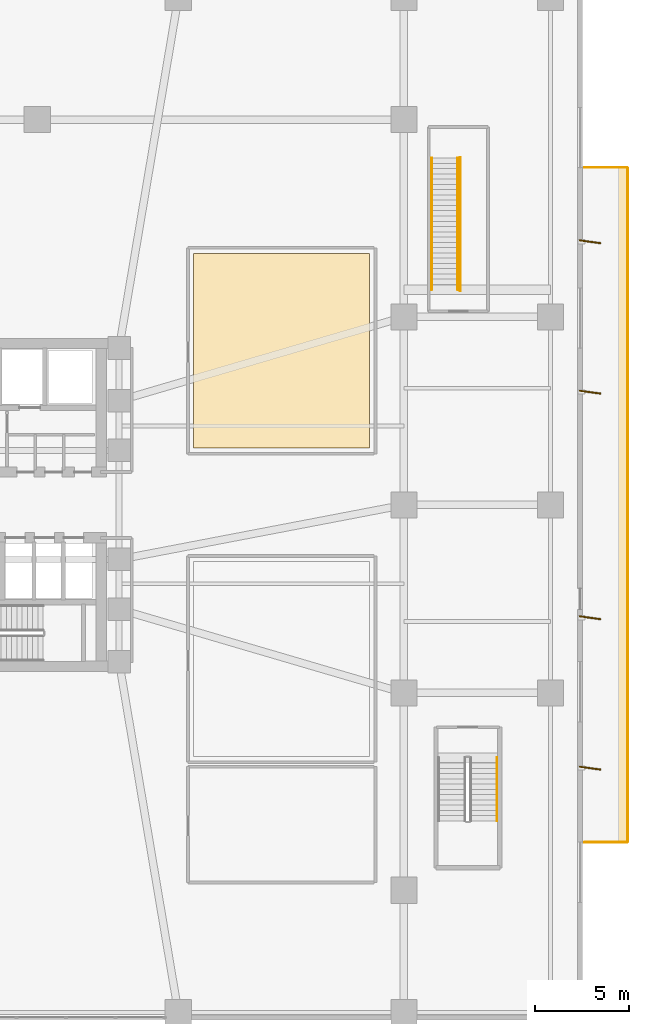
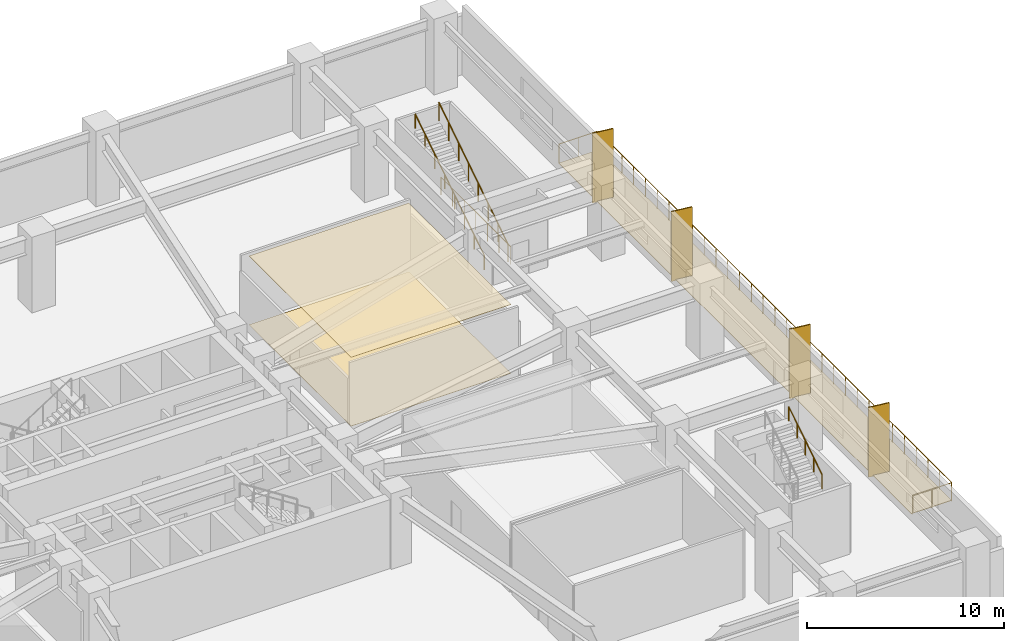
# One storey, part 13 of 13: 7 railings, 4 shading devices, 3 coverings.
"""IFC4 building model written with IfcOpenShell, lengths in metres."""

import ifcopenshell
import ifcopenshell.guid

model = None  # the IFC model being written
_history = None  # IfcOwnerHistory: only IFC2X3 demands one
_inside = {}  # id of a spatial element -> (the spatial element, [elements in it])
_under = {}  # id of a project, library or spatial element -> (it, [spatial elements below it])
_declared = {}  # id of a project -> (the project, [libraries it declares])
_typed = {}  # id of a type object -> (the type object, [elements of that type])
_made_of = {}  # id of a material, layer set ... -> (it, [elements and type objects made of it])


def new_model(schema):
    """Start an empty IFC model of exactly this schema.

    Asked for "IFC4X3", IfcOpenShell would pick the latest addendum, in which some entities
    have other attributes; the version numbers below select the first issue.
    IFC2X3 requires an IfcOwnerHistory on every rooted entity: one is made here for all.
    """
    global model, _history
    if schema == "IFC4X3":
        model = ifcopenshell.file(schema_version=(4, 3, 0, 0))
    else:
        model = ifcopenshell.file(schema=schema)
    _inside.clear()
    _under.clear()
    _declared.clear()
    _typed.clear()
    _made_of.clear()
    _history = None
    if model.schema == "IFC2X3":
        org = make("IfcOrganization", Name="unknown")
        user = make(
            "IfcPersonAndOrganization",
            ThePerson=make("IfcPerson", FamilyName="unknown"),
            TheOrganization=org,
        )
        app = make(
            "IfcApplication",
            ApplicationDeveloper=org,
            Version="unknown",
            ApplicationFullName="unknown",
            ApplicationIdentifier="unknown",
        )
        _history = make(
            "IfcOwnerHistory",
            OwningUser=user,
            OwningApplication=app,
            ChangeAction="ADDED",
            CreationDate=0,
        )
    return model


def make(cls, **values):
    """One entity of the class cls with the attributes given. An attribute that is None is left unset."""
    return model.create_entity(
        cls, **{name: value for name, value in values.items() if value is not None}
    )


def rooted(cls, **values):
    """An entity with a GlobalId (a new one), such as an element, a storey or a relation."""
    return make(cls, GlobalId=ifcopenshell.guid.new(), OwnerHistory=_history, **values)


def si_unit(unit_type, name, prefix=None):
    """IfcSIUnit, for example si_unit("LENGTHUNIT", "METRE", prefix="MILLI")."""
    return make("IfcSIUnit", UnitType=unit_type, Prefix=prefix, Name=name)


def assignment(units):
    """IfcUnitAssignment: the units of a project."""
    return None if units is None else make("IfcUnitAssignment", Units=units)


def point(xyz):
    """IfcCartesianPoint."""
    return None if xyz is None else make("IfcCartesianPoint", Coordinates=xyz)


def direction(xyz):
    """IfcDirection."""
    return None if xyz is None else make("IfcDirection", DirectionRatios=xyz)


def frame(location, z_axis=None, x_axis=None):
    """IfcAxis2Placement3D, a coordinate frame: its origin and axes. An axis left out is left unset."""
    return make(
        "IfcAxis2Placement3D",
        Location=point(location),
        Axis=direction(z_axis),
        RefDirection=direction(x_axis),
    )


def frame_2d(location, x_axis=None):
    """IfcAxis2Placement2D, a coordinate frame in the plane: its origin and x axis."""
    return make(
        "IfcAxis2Placement2D", Location=point(location), RefDirection=direction(x_axis)
    )


def origin():
    """The frame at (0, 0, 0) with its axes left unset."""
    return frame((0.0, 0.0, 0.0))


def origin_2d():
    """The frame at (0, 0) in the plane with its x axis left unset."""
    return frame_2d((0.0, 0.0))


def place(relative_to, where):
    """IfcLocalPlacement: puts the frame where relative to a parent placement (None: the world)."""
    return make(
        "IfcLocalPlacement", PlacementRelTo=relative_to, RelativePlacement=where
    )


def context(
    kind, dimensions, precision=None, world=None, true_north=None, identifier=None
):
    """IfcGeometricRepresentationContext, for example the 3D "Model" context."""
    return make(
        "IfcGeometricRepresentationContext",
        ContextIdentifier=identifier,
        ContextType=kind,
        CoordinateSpaceDimension=dimensions,
        Precision=precision,
        WorldCoordinateSystem=world,
        TrueNorth=true_north,
    )


def subcontext(parent, identifier, kind, view, scale=None):
    """IfcGeometricRepresentationSubContext, for example "Body" below "Model"."""
    return make(
        "IfcGeometricRepresentationSubContext",
        ContextIdentifier=identifier,
        ContextType=kind,
        ParentContext=parent,
        TargetScale=scale,
        TargetView=view,
    )


def project(units=None, contexts=None):
    """IfcProject with its units and contexts."""
    return rooted(
        "IfcProject",
        Name="project",
        RepresentationContexts=contexts,
        UnitsInContext=assignment(units),
    )


def spatial(cls, under=None, at=None, **own):
    """A site, building, storey or space (cls), placed at a placement, below another one or the project."""
    s = rooted(cls, ObjectPlacement=at, **own)
    if under is not None:
        _under.setdefault(under.id(), (under, []))[1].append(s)
    return s


def polyline(points):
    """IfcPolyline through the points."""
    return make("IfcPolyline", Points=[point(p) for p in points])


def profile(cls, at=None, kind="AREA", **sizes):
    """A parametric profile (cls). Its sizes go by their IFC names, for example OverallWidth=200.0."""
    return make(cls, ProfileType=kind, Position=at, **sizes)


def rectangle(**sizes):
    """IfcRectangleProfileDef."""
    return profile("IfcRectangleProfileDef", **sizes)


def circle(**sizes):
    """IfcCircleProfileDef."""
    return profile("IfcCircleProfileDef", **sizes)


def outline(outer, holes=None, kind="AREA"):
    """IfcArbitraryClosedProfileDef: a profile drawn as a closed curve; with holes, ...WithVoids."""
    if holes is None:
        return make("IfcArbitraryClosedProfileDef", ProfileType=kind, OuterCurve=outer)
    return make(
        "IfcArbitraryProfileDefWithVoids",
        ProfileType=kind,
        OuterCurve=outer,
        InnerCurves=holes,
    )


def extrude(swept, where, along, depth):
    """IfcExtrudedAreaSolid: the profile swept, set in the frame where, extruded along a direction by depth."""
    return make(
        "IfcExtrudedAreaSolid",
        SweptArea=swept,
        Position=where,
        ExtrudedDirection=direction(along),
        Depth=depth,
    )


def shape(context_of_items, identifier, shape_type, items):
    """IfcShapeRepresentation: the items that make up one representation, for example the "Body"."""
    return make(
        "IfcShapeRepresentation",
        ContextOfItems=context_of_items,
        RepresentationIdentifier=identifier,
        RepresentationType=shape_type,
        Items=items,
    )


def material(Name=None, Category=None):
    """IfcMaterial."""
    return make("IfcMaterial", Name=Name, Category=Category)


def layer(
    of_material, thickness, ventilated=None, Name=None, Category=None, Priority=None
):
    """IfcMaterialLayer: one layer of a wall or slab, of a material (None: an air gap)."""
    return make(
        "IfcMaterialLayer",
        Material=of_material,
        LayerThickness=thickness,
        IsVentilated=ventilated,
        Name=Name,
        Category=Category,
        Priority=Priority,
    )


def layer_set(layers, Name=None):
    """IfcMaterialLayerSet."""
    return make("IfcMaterialLayerSet", MaterialLayers=layers, LayerSetName=Name)


def made_of(thing, what):
    """Note that an element or type object is made of a material, layer set ...; save() writes the relation."""
    if what is not None:
        _made_of.setdefault(what.id(), (what, []))[1].append(thing)
    return thing


def type_object(cls, material=None, **own):
    """A type object (cls), such as IfcWallType, which elements share."""
    return made_of(rooted(cls, **own), material)


def element(
    cls,
    number,
    at=None,
    inside=None,
    cuts=None,
    type_object=None,
    material=None,
    context=None,
    identifier="Body",
    shape_type=None,
    held_by="IfcProductDefinitionShape",
    body=None,
    shapes=None,
    **own,
):
    """One element of the class cls, such as IfcWall. Its Tag is "e" and its number.

    at: its placement. inside: the storey or other place that contains it. cuts: it is an
    opening in that element (IfcRelVoidsElement). A single representation is given by context,
    identifier, shape_type and body (its items); several are given by shapes. held_by: the class
    of the entity that holds the representations. save() writes the other relations.
    """
    e = rooted(cls, Tag="e%d" % number, ObjectPlacement=at, **own)
    if body is not None:
        shapes = [shape(context, identifier, shape_type, body)]
    if shapes is not None:
        e.Representation = make(held_by, Representations=shapes)
    if inside is not None:
        _inside.setdefault(inside.id(), (inside, []))[1].append(e)
    if cuts is not None:
        rooted(
            "IfcRelVoidsElement", RelatingBuildingElement=cuts, RelatedOpeningElement=e
        )
    if type_object is not None:
        _typed.setdefault(type_object.id(), (type_object, []))[1].append(e)
    return made_of(e, material)


def aggregate(whole, parts):
    """IfcRelAggregates: a whole, such as a stair, and the parts it consists of."""
    return rooted("IfcRelAggregates", RelatingObject=whole, RelatedObjects=parts)


def save(model, path):
    """Write the relations noted so far, then the file.

    IfcRelAggregates (storeys below a building ...), IfcRelContainedInSpatialStructure (elements
    in a storey), IfcRelDefinesByType, IfcRelAssociatesMaterial and IfcRelDeclares: one each for
    every whole, place, type object, material and project.
    """
    for whole, parts in _under.values():
        aggregate(whole, parts)
    for where, things in _inside.values():
        rooted(
            "IfcRelContainedInSpatialStructure",
            RelatedElements=things,
            RelatingStructure=where,
        )
    for kind, things in _typed.values():
        rooted("IfcRelDefinesByType", RelatedObjects=things, RelatingType=kind)
    for what, things in _made_of.values():
        rooted("IfcRelAssociatesMaterial", RelatedObjects=things, RelatingMaterial=what)
    for by, libraries in _declared.values():
        rooted("IfcRelDeclares", RelatingContext=by, RelatedDefinitions=libraries)
    model.write(path)


model = new_model("IFC4")

# Units and contexts
model_context = context("Model", 3, precision=1e-05, world=origin(), true_north=direction((0.0, 1.0)))
body_context = subcontext(model_context, "Body", "Model", "MODEL_VIEW")
ifc_project = project(units=[si_unit("LENGTHUNIT", "METRE"), si_unit("AREAUNIT", "SQUARE_METRE"), si_unit("VOLUMEUNIT", "CUBIC_METRE"), si_unit("PLANEANGLEUNIT", "RADIAN"), si_unit("MASSUNIT", "GRAM", prefix="KILO")], contexts=[model_context])

# Site, building, storey
site_placement = place(None, origin())
site = spatial("IfcSite", under=ifc_project, at=site_placement, CompositionType="ELEMENT")
building_placement = place(site_placement, origin())
building = spatial("IfcBuilding", under=site, at=building_placement, Name="Solmarez Civic Tower", CompositionType="ELEMENT")
storey_placement = place(building_placement, frame((0.0, 0.0, 14.760009765625)))
storey = spatial("IfcBuildingStorey", under=building, at=storey_placement, Name="L03", CompositionType="ELEMENT", Elevation=14.760009765625)

# Coverings
ifc_material_1 = material(Name="Perforated Mineral-Fibre Acoustic Ceiling")
ifc_layer_1 = layer(ifc_material_1, 0.02490234375)
ifc_layer_set_1 = layer_set([ifc_layer_1], Name="Perforated Mineral-Fibre Acoustic Ceiling")
covering_type_1 = type_object("IfcCoveringType", Name="COV-CEIL-ACOUSTIC", PredefinedType="CEILING", material=ifc_layer_set_1)
covering_1_placement = place(storey_placement, frame((0.0, 0.0, 4.2548828125)))
element("IfcCovering", 1, at=covering_1_placement, inside=storey, type_object=covering_type_1, Name="L03 Suspended Acoustic Ceiling 2", PredefinedType="CEILING", context=body_context, shape_type="SweptSolid", body=[
    extrude(outline(polyline([(22.179931640625, 3.02001953125), (22.179931640625, 13.3798828125), (12.820068359375, 13.3798828125), (12.820068359375, 3.02001953125), (22.179931640625, 3.02001953125)])), origin(), (0.0, 0.0, 1.0), 0.025146484375),
])
ifc_material_2 = material(Name="Polished Tropical Stone Terrazzo Flooring", Category="masonry")
ifc_layer_2 = layer(ifc_material_2, 0.02001953125)
ifc_layer_set_2 = layer_set([ifc_layer_2], Name="Polished Tropical Stone Terrazzo Flooring")
covering_type_2 = type_object("IfcCoveringType", Name="COV-FLOOR-TERRAZZO", PredefinedType="FLOORING", material=ifc_layer_set_2)
covering_2_placement = place(storey_placement, origin())
element("IfcCovering", 2, at=covering_2_placement, inside=storey, type_object=covering_type_2, Name="L03 Terrazzo Floor Finish 2", PredefinedType="FLOORING", context=body_context, shape_type="SweptSolid", body=[
    extrude(outline(polyline([(22.179931640625, 3.02001953125), (22.179931640625, 13.3798828125), (12.820068359375, 13.3798828125), (12.820068359375, 3.02001953125), (22.179931640625, 3.02001953125)])), origin(), (0.0, 0.0, 1.0), 0.02001953125),
])
ifc_material_3 = material(Name="Elastomeric Terrace Waterproofing Membrane")
ifc_layer_3 = layer(ifc_material_3, 0.030029296875)
ifc_layer_set_3 = layer_set([ifc_layer_3], Name="Elastomeric Terrace Waterproofing Membrane")
covering_type_3 = type_object("IfcCoveringType", Name="COV-MEMBRANE-ROOF", PredefinedType="ROOFING", material=ifc_layer_set_3)
covering_3_placement = place(storey_placement, origin())
element("IfcCovering", 3, at=covering_3_placement, inside=storey, type_object=covering_type_3, Name="L03 Terrace Waterproofing Membrane E", PredefinedType="ROOFING", context=body_context, shape_type="SweptSolid", body=[
    extrude(outline(polyline([(33.56005859375, -17.89990234375), (35.919921875, -17.89990234375), (35.919921875, 17.89990234375), (33.56005859375, 17.89990234375), (33.56005859375, -17.89990234375)])), origin(), (0.0, 0.0, 1.0), 0.030029296875),
])

# Shading devices
ifc_material_4 = material(Name="Bronze Anodised Aluminium EN AW-6063 T6", Category="aluminium")
ifc_layer_4 = layer(ifc_material_4, 0.070068359375)
ifc_layer_set_4 = layer_set([ifc_layer_4], Name="Bronze Anodised Aluminium EN AW-6063 T6")
shading_device_type = type_object("IfcShadingDeviceType", Name="FIN-BRONZE-POD", PredefinedType="USERDEFINED", material=ifc_layer_set_4)
for number, where, z_axis, x_axis, name in (
    (4, (33.89501953125, -14.0, -0.0400390625), (0.0, 0.0, 1.0), (0.990983199715, -0.133986185418, 0.0), "L03 Anodised Bronze Solar Fin FIN-L03-E1"),
    (5, (33.89501953125, -6.0, -0.0400390625), (0.0, 0.0, 1.0), (0.990983199715, -0.133986185418, 0.0), "L03 Anodised Bronze Solar Fin FIN-L03-E2"),
    (6, (33.89501953125, 6.0, -0.0400390625), (0.0, 0.0, 1.0), (0.990983199715, -0.133986185418, 0.0), "L03 Anodised Bronze Solar Fin FIN-L03-E3"),
    (7, (33.89501953125, 14.0, -0.0400390625), (0.0, 0.0, 1.0), (0.990983199715, -0.133986185418, 0.0), "L03 Anodised Bronze Solar Fin FIN-L03-E4"),
):
    element("IfcShadingDevice", number, at=place(storey_placement, frame(where, z_axis=z_axis, x_axis=x_axis)), inside=storey, type_object=shading_device_type, Name=name, ObjectType="FIN", PredefinedType="USERDEFINED", context=body_context, shape_type="SweptSolid", body=[
        extrude(rectangle(XDim=1.14990234375, YDim=0.070068359375, at=origin_2d()), origin(), (0.0, 0.0, 1.0), 4.320068359375),
    ])

# Railings
ifc_material_5 = material(Name="Painted Steel Stairwell Safety Guard", Category="steel")
railing_type_1 = type_object("IfcRailingType", Name="GUARD-STAIR-1120", PredefinedType="BALUSTRADE", material=ifc_material_5)
railing_1_placement = place(storey_placement, frame((26.8701171875, 11.449951171875, 0.179931640625)))
element("IfcRailing", 8, at=railing_1_placement, inside=storey, type_object=railing_type_1, Name="L03 Stair ST-P4 Flight Guard", PredefinedType="BALUSTRADE", context=body_context, shape_type="SweptSolid", body=[
    extrude(circle(Radius=0.02392578125, at=origin_2d()), frame((0.0, 0.0, 1.09619140625), z_axis=(0.0, 0.841178475377, 0.540757591313), x_axis=(-1.0, 0.0, 0.0)), (0.0, 0.0, 1.0), 8.32177734375),
    extrude(circle(Radius=0.02099609375, at=origin_2d()), origin(), (0.0, 0.0, 1.0), 1.072021484375),
    extrude(circle(Radius=0.02099609375, at=origin_2d()), frame((0.0, 1.0, 0.642822265625)), (0.0, 0.0, 1.0), 1.072021484375),
    extrude(circle(Radius=0.02099609375, at=origin_2d()), frame((0.0, 2.0, 1.28564453125)), (0.0, 0.0, 1.0), 1.072021484375),
    extrude(circle(Radius=0.02099609375, at=origin_2d()), frame((0.0, 3.0, 1.928466796875)), (0.0, 0.0, 1.0), 1.072021484375),
    extrude(circle(Radius=0.02099609375, at=origin_2d()), frame((0.0, 4.0, 2.571533203125)), (0.0, 0.0, 1.0), 1.072021484375),
    extrude(circle(Radius=0.02099609375, at=origin_2d()), frame((0.0, 5.0, 3.21435546875)), (0.0, 0.0, 1.0), 1.072021484375),
    extrude(circle(Radius=0.02099609375, at=origin_2d()), frame((0.0, 6.0, 3.857177734375)), (0.0, 0.0, 1.0), 1.072021484375),
    extrude(circle(Radius=0.02099609375, at=origin_2d()), frame((0.0, 7.0, 4.5)), (0.0, 0.0, 1.0), 1.072021484375),
])
railing_2_placement = place(storey_placement, frame((27.0, 11.3798828125, 0.0)))
element("IfcRailing", 9, at=railing_2_placement, inside=storey, type_object=railing_type_1, Name="L03 Stair ST-P4 Walkway Well Guard", PredefinedType="BALUSTRADE", context=body_context, shape_type="SweptSolid", body=[
    extrude(circle(Radius=0.02392578125, at=origin_2d()), frame((0.0, 0.0, 1.09619140625), z_axis=(0.0, 1.0, 0.0), x_axis=(-1.0, 0.0, 0.0)), (0.0, 0.0, 1.0), 7.10009765625),
    extrude(circle(Radius=0.02099609375, at=origin_2d()), origin(), (0.0, 0.0, 1.0), 1.072021484375),
    extrude(circle(Radius=0.02099609375, at=origin_2d()), frame((0.0, 1.183349609375, 0.0)), (0.0, 0.0, 1.0), 1.072021484375),
    extrude(circle(Radius=0.02099609375, at=origin_2d()), frame((0.0, 2.36669921875, 0.0)), (0.0, 0.0, 1.0), 1.072021484375),
    extrude(circle(Radius=0.02099609375, at=origin_2d()), frame((0.0, 3.550048828125, 0.0)), (0.0, 0.0, 1.0), 1.072021484375),
    extrude(circle(Radius=0.02099609375, at=origin_2d()), frame((0.0, 4.7333984375, 0.0)), (0.0, 0.0, 1.0), 1.072021484375),
    extrude(circle(Radius=0.02099609375, at=origin_2d()), frame((0.0, 5.916748046875, 0.0)), (0.0, 0.0, 1.0), 1.072021484375),
    extrude(circle(Radius=0.02099609375, at=origin_2d()), frame((0.0, 7.10009765625, 0.0)), (0.0, 0.0, 1.0), 1.072021484375),
])
ifc_material_6 = material(Name="Bronze Anodised Aluminium and Laminated Safety Glass Balustrade", Category="aluminium")
railing_type_2 = type_object("IfcRailingType", Name="GUARD-TERR-1180", PredefinedType="BALUSTRADE", material=ifc_material_6)
railing_3_placement = place(storey_placement, frame((33.614990234375, -17.949951171875, 0.0)))
element("IfcRailing", 10, at=railing_3_placement, inside=storey, type_object=railing_type_2, Name="L03 Safety Balustrade GRD-TERR-L03-E-1", PredefinedType="BALUSTRADE", context=body_context, shape_type="SweptSolid", body=[
    extrude(circle(Radius=0.02392578125, at=origin_2d()), frame((0.0, 0.0, 1.15576171875), z_axis=(1.0, 0.0, 0.0), x_axis=(0.0, 1.0, 0.0)), (0.0, 0.0, 1.0), 2.25),
    extrude(circle(Radius=0.02099609375, at=origin_2d()), origin(), (0.0, 0.0, 1.0), 1.1318359375),
    extrude(circle(Radius=0.02099609375, at=origin_2d()), frame((1.125, 0.0, 0.0)), (0.0, 0.0, 1.0), 1.1318359375),
    extrude(circle(Radius=0.02099609375, at=origin_2d()), frame((2.25, 0.0, 0.0)), (0.0, 0.0, 1.0), 1.1318359375),
])
railing_4_placement = place(storey_placement, frame((35.89990234375, -17.9150390625, 0.0)))
element("IfcRailing", 11, at=railing_4_placement, inside=storey, type_object=railing_type_2, Name="L03 Safety Balustrade GRD-TERR-L03-E-2", PredefinedType="BALUSTRADE", context=body_context, shape_type="SweptSolid", body=[
    extrude(circle(Radius=0.02392578125, at=origin_2d()), frame((0.0, 0.0, 1.15576171875), z_axis=(0.0, 1.0, 0.0), x_axis=(-1.0, 0.0, 0.0)), (0.0, 0.0, 1.0), 35.830078125),
    extrude(circle(Radius=0.02099609375, at=origin_2d()), origin(), (0.0, 0.0, 1.0), 1.1318359375),
    extrude(circle(Radius=0.02099609375, at=origin_2d()), frame((0.0, 1.1943359375, 0.0)), (0.0, 0.0, 1.0), 1.1318359375),
    extrude(circle(Radius=0.02099609375, at=origin_2d()), frame((0.0, 2.388671875, 0.0)), (0.0, 0.0, 1.0), 1.1318359375),
    extrude(circle(Radius=0.02099609375, at=origin_2d()), frame((0.0, 3.5830078125, 0.0)), (0.0, 0.0, 1.0), 1.1318359375),
    extrude(circle(Radius=0.02099609375, at=origin_2d()), frame((0.0, 4.77734375, 0.0)), (0.0, 0.0, 1.0), 1.1318359375),
    extrude(circle(Radius=0.02099609375, at=origin_2d()), frame((0.0, 5.9716796875, 0.0)), (0.0, 0.0, 1.0), 1.1318359375),
    extrude(circle(Radius=0.02099609375, at=origin_2d()), frame((0.0, 7.166015625, 0.0)), (0.0, 0.0, 1.0), 1.1318359375),
    extrude(circle(Radius=0.02099609375, at=origin_2d()), frame((0.0, 8.3603515625, 0.0)), (0.0, 0.0, 1.0), 1.1318359375),
    extrude(circle(Radius=0.02099609375, at=origin_2d()), frame((0.0, 9.5546875, 0.0)), (0.0, 0.0, 1.0), 1.1318359375),
    extrude(circle(Radius=0.02099609375, at=origin_2d()), frame((0.0, 10.7490234375, 0.0)), (0.0, 0.0, 1.0), 1.1318359375),
    extrude(circle(Radius=0.02099609375, at=origin_2d()), frame((0.0, 11.943359375, 0.0)), (0.0, 0.0, 1.0), 1.1318359375),
    extrude(circle(Radius=0.02099609375, at=origin_2d()), frame((0.0, 13.1376953125, 0.0)), (0.0, 0.0, 1.0), 1.1318359375),
    extrude(circle(Radius=0.02099609375, at=origin_2d()), frame((0.0, 14.33203125, 0.0)), (0.0, 0.0, 1.0), 1.1318359375),
    extrude(circle(Radius=0.02099609375, at=origin_2d()), frame((0.0, 15.5263671875, 0.0)), (0.0, 0.0, 1.0), 1.1318359375),
    extrude(circle(Radius=0.02099609375, at=origin_2d()), frame((0.0, 16.720703125, 0.0)), (0.0, 0.0, 1.0), 1.1318359375),
    extrude(circle(Radius=0.02099609375, at=origin_2d()), frame((0.0, 17.9150390625, 0.0)), (0.0, 0.0, 1.0), 1.1318359375),
    extrude(circle(Radius=0.02099609375, at=origin_2d()), frame((0.0, 19.109375, 0.0)), (0.0, 0.0, 1.0), 1.1318359375),
    extrude(circle(Radius=0.02099609375, at=origin_2d()), frame((0.0, 20.3037109375, 0.0)), (0.0, 0.0, 1.0), 1.1318359375),
    extrude(circle(Radius=0.02099609375, at=origin_2d()), frame((0.0, 21.498046875, 0.0)), (0.0, 0.0, 1.0), 1.1318359375),
    extrude(circle(Radius=0.02099609375, at=origin_2d()), frame((0.0, 22.6923828125, 0.0)), (0.0, 0.0, 1.0), 1.1318359375),
    extrude(circle(Radius=0.02099609375, at=origin_2d()), frame((0.0, 23.88671875, 0.0)), (0.0, 0.0, 1.0), 1.1318359375),
    extrude(circle(Radius=0.02099609375, at=origin_2d()), frame((0.0, 25.0810546875, 0.0)), (0.0, 0.0, 1.0), 1.1318359375),
    extrude(circle(Radius=0.02099609375, at=origin_2d()), frame((0.0, 26.275390625, 0.0)), (0.0, 0.0, 1.0), 1.1318359375),
    extrude(circle(Radius=0.02099609375, at=origin_2d()), frame((0.0, 27.4697265625, 0.0)), (0.0, 0.0, 1.0), 1.1318359375),
    extrude(circle(Radius=0.02099609375, at=origin_2d()), frame((0.0, 28.6640625, 0.0)), (0.0, 0.0, 1.0), 1.1318359375),
    extrude(circle(Radius=0.02099609375, at=origin_2d()), frame((0.0, 29.8583984375, 0.0)), (0.0, 0.0, 1.0), 1.1318359375),
    extrude(circle(Radius=0.02099609375, at=origin_2d()), frame((0.0, 31.052734375, 0.0)), (0.0, 0.0, 1.0), 1.1318359375),
    extrude(circle(Radius=0.02099609375, at=origin_2d()), frame((0.0, 32.2470703125, 0.0)), (0.0, 0.0, 1.0), 1.1318359375),
    extrude(circle(Radius=0.02099609375, at=origin_2d()), frame((0.0, 33.44140625, 0.0)), (0.0, 0.0, 1.0), 1.1318359375),
    extrude(circle(Radius=0.02099609375, at=origin_2d()), frame((0.0, 34.6357421875, 0.0)), (0.0, 0.0, 1.0), 1.1318359375),
    extrude(circle(Radius=0.02099609375, at=origin_2d()), frame((0.0, 35.830078125, 0.0)), (0.0, 0.0, 1.0), 1.1318359375),
])
railing_5_placement = place(storey_placement, frame((35.864990234375, 17.949951171875, 0.0)))
element("IfcRailing", 12, at=railing_5_placement, inside=storey, type_object=railing_type_2, Name="L03 Safety Balustrade GRD-TERR-L03-E-3", PredefinedType="BALUSTRADE", context=body_context, shape_type="SweptSolid", body=[
    extrude(circle(Radius=0.02392578125, at=origin_2d()), frame((0.0, 0.0, 1.15576171875), z_axis=(-1.0, 0.0, 0.0), x_axis=(0.0, -1.0, 0.0)), (0.0, 0.0, 1.0), 2.25),
    extrude(circle(Radius=0.02099609375, at=origin_2d()), origin(), (0.0, 0.0, 1.0), 1.1318359375),
    extrude(circle(Radius=0.02099609375, at=origin_2d()), frame((-1.125, 0.0, 0.0)), (0.0, 0.0, 1.0), 1.1318359375),
    extrude(circle(Radius=0.02099609375, at=origin_2d()), frame((-2.25, 0.0, 0.0)), (0.0, 0.0, 1.0), 1.1318359375),
])
ifc_material_7 = material(Name="Brushed Stainless Steel Tube Handrail", Category="steel")
railing_type_3 = type_object("IfcRailingType", Name="HANDRAIL-STAIR-900", PredefinedType="HANDRAIL", material=ifc_material_7)
railing_6_placement = place(storey_placement, frame((28.949951171875, -16.81005859375, 2.52001953125)))
element("IfcRailing", 13, at=railing_6_placement, inside=storey, type_object=railing_type_3, Name="L03 ST-P2 stair handrail 2", PredefinedType="HANDRAIL", context=body_context, shape_type="SweptSolid", body=[
    extrude(circle(Radius=0.02392578125, at=origin_2d()), frame((0.0, 0.0, 0.8759765625), z_axis=(0.0, 0.84119634759, 0.540729789082), x_axis=(-1.0, 0.0, 0.0)), (0.0, 0.0, 1.0), 3.994384765625),
    extrude(circle(Radius=0.02099609375, at=origin_2d()), origin(), (0.0, 0.0, 1.0), 0.851806640625),
    extrude(circle(Radius=0.02099609375, at=origin_2d()), frame((0.0, 0.840087890625, 0.5400390625)), (0.0, 0.0, 1.0), 0.851806640625),
    extrude(circle(Radius=0.02099609375, at=origin_2d()), frame((0.0, 1.68017578125, 1.080078125)), (0.0, 0.0, 1.0), 0.851806640625),
    extrude(circle(Radius=0.02099609375, at=origin_2d()), frame((0.0, 2.52001953125, 1.619873046875)), (0.0, 0.0, 1.0), 0.851806640625),
    extrude(circle(Radius=0.02099609375, at=origin_2d()), frame((0.0, 3.360107421875, 2.159912109375)), (0.0, 0.0, 1.0), 0.851806640625),
])
railing_7_placement = place(storey_placement, frame((25.47998046875, 11.449951171875, 0.179931640625)))
element("IfcRailing", 14, at=railing_7_placement, inside=storey, type_object=railing_type_3, Name="L03 Stair ST-P4 Handrail", PredefinedType="HANDRAIL", context=body_context, shape_type="SweptSolid", body=[
    extrude(circle(Radius=0.02392578125, at=origin_2d()), frame((0.0, 0.0, 0.8759765625), z_axis=(0.0, 0.841178475377, 0.540757591313), x_axis=(-1.0, 0.0, 0.0)), (0.0, 0.0, 1.0), 8.32177734375),
    extrude(circle(Radius=0.02099609375, at=origin_2d()), origin(), (0.0, 0.0, 1.0), 0.851806640625),
    extrude(circle(Radius=0.02099609375, at=origin_2d()), frame((0.0, 1.0, 0.642822265625)), (0.0, 0.0, 1.0), 0.851806640625),
    extrude(circle(Radius=0.02099609375, at=origin_2d()), frame((0.0, 2.0, 1.28564453125)), (0.0, 0.0, 1.0), 0.851806640625),
    extrude(circle(Radius=0.02099609375, at=origin_2d()), frame((0.0, 3.0, 1.928466796875)), (0.0, 0.0, 1.0), 0.851806640625),
    extrude(circle(Radius=0.02099609375, at=origin_2d()), frame((0.0, 4.0, 2.571533203125)), (0.0, 0.0, 1.0), 0.851806640625),
    extrude(circle(Radius=0.02099609375, at=origin_2d()), frame((0.0, 5.0, 3.21435546875)), (0.0, 0.0, 1.0), 0.851806640625),
    extrude(circle(Radius=0.02099609375, at=origin_2d()), frame((0.0, 6.0, 3.857177734375)), (0.0, 0.0, 1.0), 0.851806640625),
    extrude(circle(Radius=0.02099609375, at=origin_2d()), frame((0.0, 7.0, 4.5)), (0.0, 0.0, 1.0), 0.851806640625),
])

save(model, "model.ifc")
